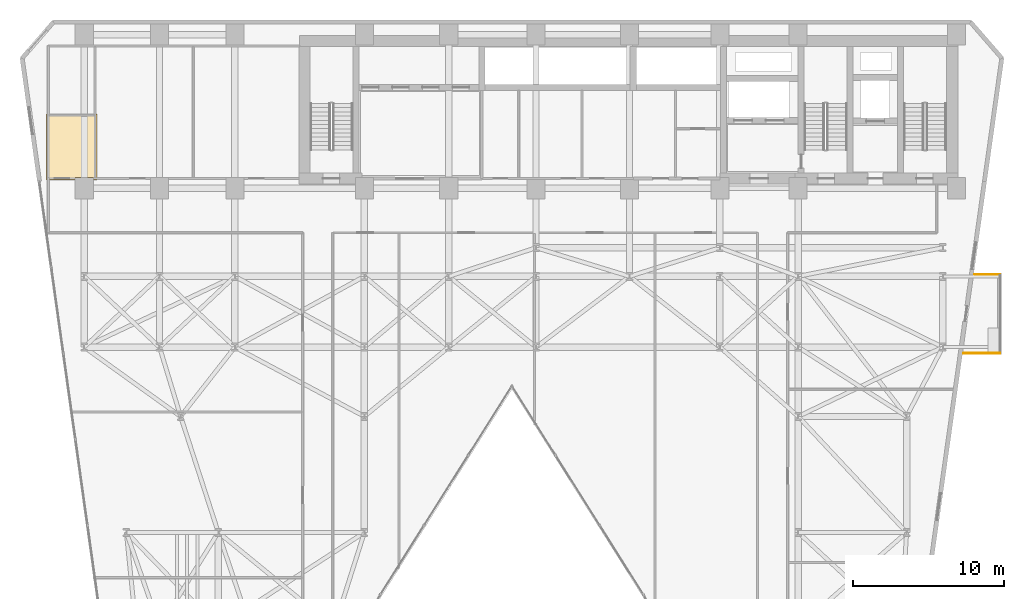
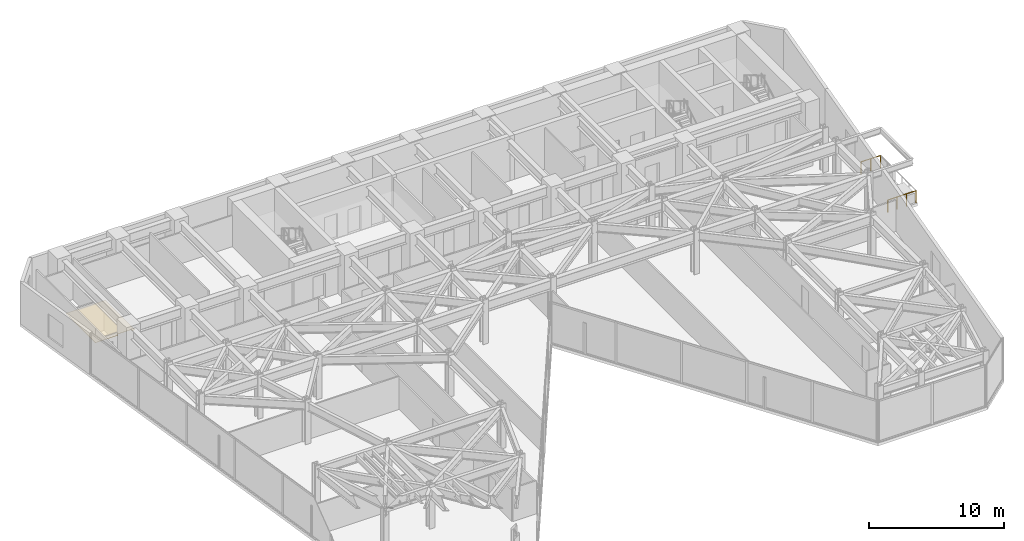
# One storey, part 22 of 24: 2 railings, 1 covering.
"""IFC4 building model written with IfcOpenShell, lengths in metres."""

import ifcopenshell
import ifcopenshell.guid

model = None  # the IFC model being written
_history = None  # IfcOwnerHistory: only IFC2X3 demands one
_inside = {}  # id of a spatial element -> (the spatial element, [elements in it])
_under = {}  # id of a project, library or spatial element -> (it, [spatial elements below it])
_declared = {}  # id of a project -> (the project, [libraries it declares])
_typed = {}  # id of a type object -> (the type object, [elements of that type])
_made_of = {}  # id of a material, layer set ... -> (it, [elements and type objects made of it])


def new_model(schema):
    """Start an empty IFC model of exactly this schema.

    Asked for "IFC4X3", IfcOpenShell would pick the latest addendum, in which some entities
    have other attributes; the version numbers below select the first issue.
    IFC2X3 requires an IfcOwnerHistory on every rooted entity: one is made here for all.
    """
    global model, _history
    if schema == "IFC4X3":
        model = ifcopenshell.file(schema_version=(4, 3, 0, 0))
    else:
        model = ifcopenshell.file(schema=schema)
    _inside.clear()
    _under.clear()
    _declared.clear()
    _typed.clear()
    _made_of.clear()
    _history = None
    if model.schema == "IFC2X3":
        org = make("IfcOrganization", Name="unknown")
        user = make(
            "IfcPersonAndOrganization",
            ThePerson=make("IfcPerson", FamilyName="unknown"),
            TheOrganization=org,
        )
        app = make(
            "IfcApplication",
            ApplicationDeveloper=org,
            Version="unknown",
            ApplicationFullName="unknown",
            ApplicationIdentifier="unknown",
        )
        _history = make(
            "IfcOwnerHistory",
            OwningUser=user,
            OwningApplication=app,
            ChangeAction="ADDED",
            CreationDate=0,
        )
    return model


def make(cls, **values):
    """One entity of the class cls with the attributes given. An attribute that is None is left unset."""
    return model.create_entity(
        cls, **{name: value for name, value in values.items() if value is not None}
    )


def rooted(cls, **values):
    """An entity with a GlobalId (a new one), such as an element, a storey or a relation."""
    return make(cls, GlobalId=ifcopenshell.guid.new(), OwnerHistory=_history, **values)


def si_unit(unit_type, name, prefix=None):
    """IfcSIUnit, for example si_unit("LENGTHUNIT", "METRE", prefix="MILLI")."""
    return make("IfcSIUnit", UnitType=unit_type, Prefix=prefix, Name=name)


def assignment(units):
    """IfcUnitAssignment: the units of a project."""
    return None if units is None else make("IfcUnitAssignment", Units=units)


def point(xyz):
    """IfcCartesianPoint."""
    return None if xyz is None else make("IfcCartesianPoint", Coordinates=xyz)


def direction(xyz):
    """IfcDirection."""
    return None if xyz is None else make("IfcDirection", DirectionRatios=xyz)


def frame(location, z_axis=None, x_axis=None):
    """IfcAxis2Placement3D, a coordinate frame: its origin and axes. An axis left out is left unset."""
    return make(
        "IfcAxis2Placement3D",
        Location=point(location),
        Axis=direction(z_axis),
        RefDirection=direction(x_axis),
    )


def frame_2d(location, x_axis=None):
    """IfcAxis2Placement2D, a coordinate frame in the plane: its origin and x axis."""
    return make(
        "IfcAxis2Placement2D", Location=point(location), RefDirection=direction(x_axis)
    )


def origin():
    """The frame at (0, 0, 0) with its axes left unset."""
    return frame((0.0, 0.0, 0.0))


def origin_2d():
    """The frame at (0, 0) in the plane with its x axis left unset."""
    return frame_2d((0.0, 0.0))


def place(relative_to, where):
    """IfcLocalPlacement: puts the frame where relative to a parent placement (None: the world)."""
    return make(
        "IfcLocalPlacement", PlacementRelTo=relative_to, RelativePlacement=where
    )


def context(
    kind, dimensions, precision=None, world=None, true_north=None, identifier=None
):
    """IfcGeometricRepresentationContext, for example the 3D "Model" context."""
    return make(
        "IfcGeometricRepresentationContext",
        ContextIdentifier=identifier,
        ContextType=kind,
        CoordinateSpaceDimension=dimensions,
        Precision=precision,
        WorldCoordinateSystem=world,
        TrueNorth=true_north,
    )


def subcontext(parent, identifier, kind, view, scale=None):
    """IfcGeometricRepresentationSubContext, for example "Body" below "Model"."""
    return make(
        "IfcGeometricRepresentationSubContext",
        ContextIdentifier=identifier,
        ContextType=kind,
        ParentContext=parent,
        TargetScale=scale,
        TargetView=view,
    )


def project(units=None, contexts=None):
    """IfcProject with its units and contexts."""
    return rooted(
        "IfcProject",
        Name="project",
        RepresentationContexts=contexts,
        UnitsInContext=assignment(units),
    )


def spatial(cls, under=None, at=None, **own):
    """A site, building, storey or space (cls), placed at a placement, below another one or the project."""
    s = rooted(cls, ObjectPlacement=at, **own)
    if under is not None:
        _under.setdefault(under.id(), (under, []))[1].append(s)
    return s


def polyline(points):
    """IfcPolyline through the points."""
    return make("IfcPolyline", Points=[point(p) for p in points])


def profile(cls, at=None, kind="AREA", **sizes):
    """A parametric profile (cls). Its sizes go by their IFC names, for example OverallWidth=200.0."""
    return make(cls, ProfileType=kind, Position=at, **sizes)


def circle(**sizes):
    """IfcCircleProfileDef."""
    return profile("IfcCircleProfileDef", **sizes)


def outline(outer, holes=None, kind="AREA"):
    """IfcArbitraryClosedProfileDef: a profile drawn as a closed curve; with holes, ...WithVoids."""
    if holes is None:
        return make("IfcArbitraryClosedProfileDef", ProfileType=kind, OuterCurve=outer)
    return make(
        "IfcArbitraryProfileDefWithVoids",
        ProfileType=kind,
        OuterCurve=outer,
        InnerCurves=holes,
    )


def extrude(swept, where, along, depth):
    """IfcExtrudedAreaSolid: the profile swept, set in the frame where, extruded along a direction by depth."""
    return make(
        "IfcExtrudedAreaSolid",
        SweptArea=swept,
        Position=where,
        ExtrudedDirection=direction(along),
        Depth=depth,
    )


def shape(context_of_items, identifier, shape_type, items):
    """IfcShapeRepresentation: the items that make up one representation, for example the "Body"."""
    return make(
        "IfcShapeRepresentation",
        ContextOfItems=context_of_items,
        RepresentationIdentifier=identifier,
        RepresentationType=shape_type,
        Items=items,
    )


def material(Name=None, Category=None):
    """IfcMaterial."""
    return make("IfcMaterial", Name=Name, Category=Category)


def layer(
    of_material, thickness, ventilated=None, Name=None, Category=None, Priority=None
):
    """IfcMaterialLayer: one layer of a wall or slab, of a material (None: an air gap)."""
    return make(
        "IfcMaterialLayer",
        Material=of_material,
        LayerThickness=thickness,
        IsVentilated=ventilated,
        Name=Name,
        Category=Category,
        Priority=Priority,
    )


def layer_set(layers, Name=None):
    """IfcMaterialLayerSet."""
    return make("IfcMaterialLayerSet", MaterialLayers=layers, LayerSetName=Name)


def made_of(thing, what):
    """Note that an element or type object is made of a material, layer set ...; save() writes the relation."""
    if what is not None:
        _made_of.setdefault(what.id(), (what, []))[1].append(thing)
    return thing


def type_object(cls, material=None, **own):
    """A type object (cls), such as IfcWallType, which elements share."""
    return made_of(rooted(cls, **own), material)


def element(
    cls,
    number,
    at=None,
    inside=None,
    cuts=None,
    type_object=None,
    material=None,
    context=None,
    identifier="Body",
    shape_type=None,
    held_by="IfcProductDefinitionShape",
    body=None,
    shapes=None,
    **own,
):
    """One element of the class cls, such as IfcWall. Its Tag is "e" and its number.

    at: its placement. inside: the storey or other place that contains it. cuts: it is an
    opening in that element (IfcRelVoidsElement). A single representation is given by context,
    identifier, shape_type and body (its items); several are given by shapes. held_by: the class
    of the entity that holds the representations. save() writes the other relations.
    """
    e = rooted(cls, Tag="e%d" % number, ObjectPlacement=at, **own)
    if body is not None:
        shapes = [shape(context, identifier, shape_type, body)]
    if shapes is not None:
        e.Representation = make(held_by, Representations=shapes)
    if inside is not None:
        _inside.setdefault(inside.id(), (inside, []))[1].append(e)
    if cuts is not None:
        rooted(
            "IfcRelVoidsElement", RelatingBuildingElement=cuts, RelatedOpeningElement=e
        )
    if type_object is not None:
        _typed.setdefault(type_object.id(), (type_object, []))[1].append(e)
    return made_of(e, material)


def aggregate(whole, parts):
    """IfcRelAggregates: a whole, such as a stair, and the parts it consists of."""
    return rooted("IfcRelAggregates", RelatingObject=whole, RelatedObjects=parts)


def save(model, path):
    """Write the relations noted so far, then the file.

    IfcRelAggregates (storeys below a building ...), IfcRelContainedInSpatialStructure (elements
    in a storey), IfcRelDefinesByType, IfcRelAssociatesMaterial and IfcRelDeclares: one each for
    every whole, place, type object, material and project.
    """
    for whole, parts in _under.values():
        aggregate(whole, parts)
    for where, things in _inside.values():
        rooted(
            "IfcRelContainedInSpatialStructure",
            RelatedElements=things,
            RelatingStructure=where,
        )
    for kind, things in _typed.values():
        rooted("IfcRelDefinesByType", RelatedObjects=things, RelatingType=kind)
    for what, things in _made_of.values():
        rooted("IfcRelAssociatesMaterial", RelatedObjects=things, RelatingMaterial=what)
    for by, libraries in _declared.values():
        rooted("IfcRelDeclares", RelatingContext=by, RelatedDefinitions=libraries)
    model.write(path)


model = new_model("IFC4")

# Units and contexts
model_context = context("Model", 3, precision=1e-05, world=origin(), true_north=direction((0.0, 1.0)))
body_context = subcontext(model_context, "Body", "Model", "MODEL_VIEW")
ifc_project = project(units=[si_unit("LENGTHUNIT", "METRE"), si_unit("AREAUNIT", "SQUARE_METRE"), si_unit("VOLUMEUNIT", "CUBIC_METRE"), si_unit("PLANEANGLEUNIT", "RADIAN"), si_unit("MASSUNIT", "GRAM", prefix="KILO")], contexts=[model_context])

# Site, building, storey
site_placement = place(None, origin())
site = spatial("IfcSite", under=ifc_project, at=site_placement, CompositionType="ELEMENT")
building_placement = place(site_placement, origin())
building = spatial("IfcBuilding", under=site, at=building_placement, Name="Kravanh Interchange Tower", CompositionType="ELEMENT")
storey_placement = place(building_placement, frame((0.0, 0.0, 45.5)))
storey = spatial("IfcBuildingStorey", under=building, at=storey_placement, Name="L10", CompositionType="ELEMENT", Elevation=45.5)

# Covering
ifc_material_1 = material(Name="Acoustic Mineral Fibre Tile on Aluminium Grid", Category="aluminium")
ifc_layer_1 = layer(ifc_material_1, 0.02490234375)
ifc_layer_set_1 = layer_set([ifc_layer_1], Name="Perforated Acoustic Mineral Ceiling 25mm")
covering_type = type_object("IfcCoveringType", Name="Perforated Acoustic Mineral Ceiling 25mm", PredefinedType="CEILING", material=ifc_layer_set_1)
covering_placement = place(storey_placement, frame((0.0, 0.0, 2.550048828125)))
element("IfcCovering", 1, at=covering_placement, inside=storey, type_object=covering_type, Name="L10 Accessible WC Suspended Ceiling", PredefinedType="CEILING", context=body_context, shape_type="SweptSolid", body=[
    extrude(outline(polyline([(9.4599609375, 42.280029296875), (9.4599609375, 37.909912109375), (9.199951171875, 37.909912109375), (9.199951171875, 38.050048828125), (8.0, 38.050048828125), (8.0, 37.909912109375), (6.080078125, 37.909912109375), (6.080078125, 42.280029296875), (9.4599609375, 42.280029296875)])), origin(), (0.0, 0.0, 1.0), 0.02490234375),
])

# Railings
ifc_material_2 = material(Name="Stainless Steel 316", Category="steel")
ifc_layer_2 = layer(ifc_material_2, 0.06005859375)
ifc_layer_set_2 = layer_set([ifc_layer_2], Name="Perimeter Balcony and Terrace Guardrail Stainless 316 1120mm")
railing_type = type_object("IfcRailingType", Name="Perimeter Balcony and Terrace Guardrail Stainless 316 1120mm", PredefinedType="GUARDRAIL", material=ifc_layer_set_2)
railing_1_placement = place(storey_placement, frame((69.409912109375, 26.389892578125, 0.0)))
element("IfcRailing", 2, at=railing_1_placement, inside=storey, type_object=railing_type, Name="L10 E Balcony Guardrail 2", PredefinedType="GUARDRAIL", context=body_context, shape_type="SweptSolid", body=[
    extrude(circle(Radius=0.02392578125, at=origin_2d()), frame((0.0, 0.0, 1.09619140625), z_axis=(-1.0, 0.0, 0.0), x_axis=(0.0, -1.0, 0.0)), (0.0, 0.0, 1.0), 2.42138671875),
    extrude(circle(Radius=0.02099609375, at=origin_2d()), origin(), (0.0, 0.0, 1.0), 1.072021484375),
    extrude(circle(Radius=0.02099609375, at=origin_2d()), frame((-0.80712890625, 0.0, 0.0)), (0.0, 0.0, 1.0), 1.072021484375),
    extrude(circle(Radius=0.02099609375, at=origin_2d()), frame((-1.6142578125, 0.0, 0.0)), (0.0, 0.0, 1.0), 1.072021484375),
    extrude(circle(Radius=0.02099609375, at=origin_2d()), frame((-2.42138671875, 0.0, 0.0)), (0.0, 0.0, 1.0), 1.072021484375),
])
railing_2_placement = place(storey_placement, frame((67.72509765625, 31.6298828125, 0.0)))
element("IfcRailing", 3, at=railing_2_placement, inside=storey, type_object=railing_type, Name="L10 E Balcony Guardrail 3", PredefinedType="GUARDRAIL", context=body_context, shape_type="SweptSolid", body=[
    extrude(circle(Radius=0.02392578125, at=origin_2d()), frame((0.0, 0.0, 1.09619140625), z_axis=(1.0, 0.0, 0.0), x_axis=(0.0, 1.0, 0.0)), (0.0, 0.0, 1.0), 1.684814453125),
    extrude(circle(Radius=0.02099609375, at=origin_2d()), origin(), (0.0, 0.0, 1.0), 1.072021484375),
    extrude(circle(Radius=0.02099609375, at=origin_2d()), frame((0.84228515625, 0.0, 0.0)), (0.0, 0.0, 1.0), 1.072021484375),
    extrude(circle(Radius=0.02099609375, at=origin_2d()), frame((1.684814453125, 0.0, 0.0)), (0.0, 0.0, 1.0), 1.072021484375),
])

save(model, "model.ifc")
